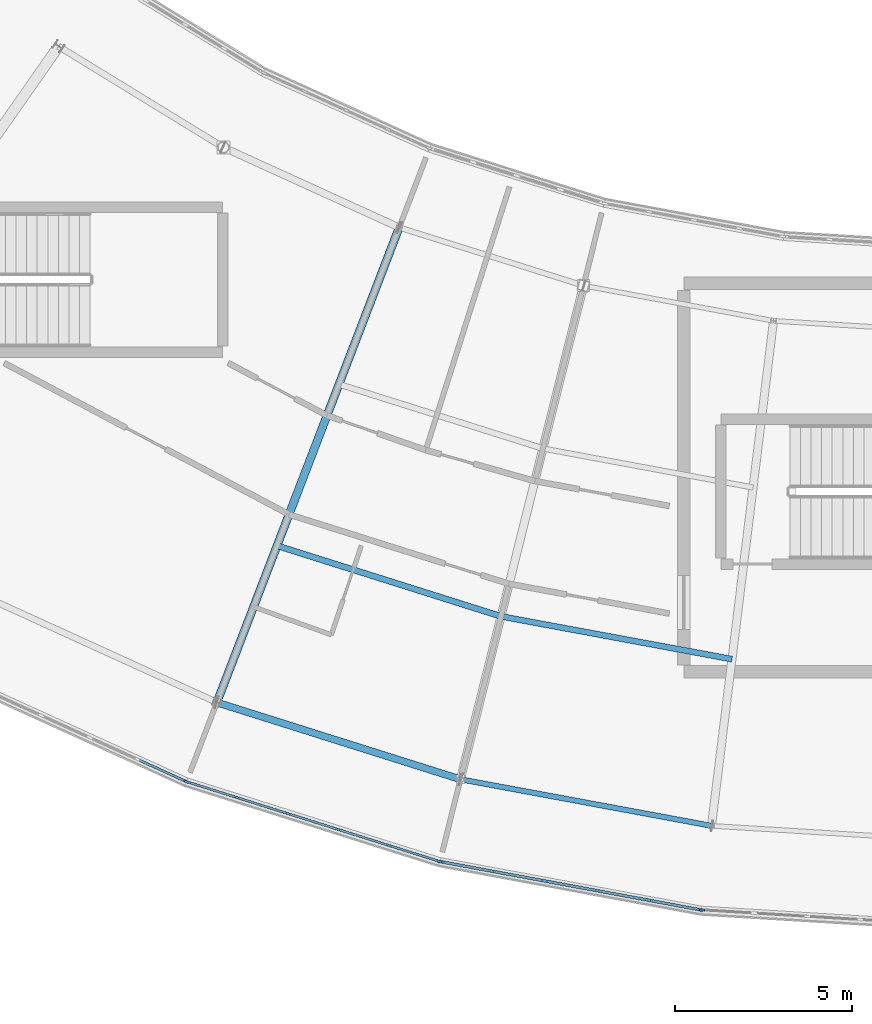
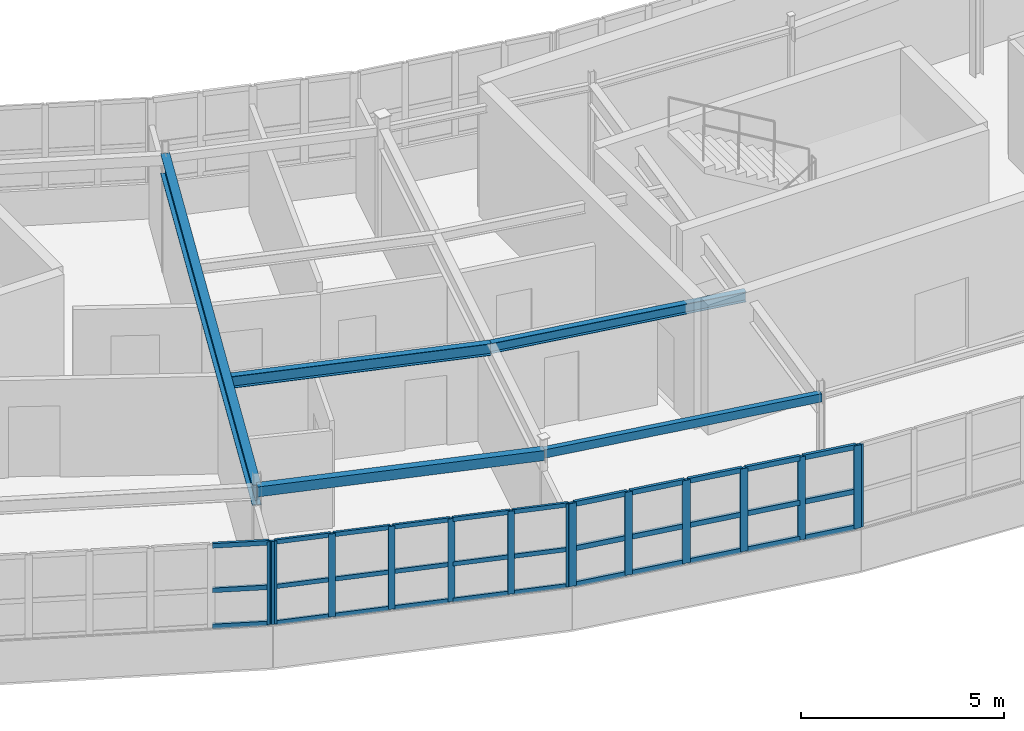
# One storey, part 19 of 79: 47 members, 5 beams, 4 elements without a shape of their own.
"""IFC4 building model written with IfcOpenShell, lengths in metres."""

from ifc_helpers import new_model, si_unit, direction, frame, origin, origin_2d, place, context, subcontext, project, spatial, rectangle, hollow_rectangle, i_section, extrude, material, layer, layer_set, material_profile, profile_set, type_object, element, aggregate, save


model = new_model("IFC4")

# Units and contexts
model_context = context("Model", 3, precision=1e-05, world=origin(), true_north=direction((0.0, 1.0)))
body_context = subcontext(model_context, "Body", "Model", "MODEL_VIEW")
ifc_project = project(units=[si_unit("LENGTHUNIT", "METRE"), si_unit("AREAUNIT", "SQUARE_METRE"), si_unit("VOLUMEUNIT", "CUBIC_METRE"), si_unit("PLANEANGLEUNIT", "RADIAN"), si_unit("MASSUNIT", "GRAM", prefix="KILO")], contexts=[model_context])

# Site, building, storey
site_placement = place(None, origin())
site = spatial("IfcSite", under=ifc_project, at=site_placement, CompositionType="ELEMENT")
building_placement = place(site_placement, origin())
building = spatial("IfcBuilding", under=site, at=building_placement, Name="Tarnwether General Hospital", CompositionType="ELEMENT")
storey_placement = place(building_placement, frame((0.0, 0.0, 18.300048828125)))
storey = spatial("IfcBuildingStorey", under=building, at=storey_placement, Name="L04", CompositionType="ELEMENT", Elevation=18.300048828125)

# Beams
ifc_material_1 = material(Name="Steel Grade 350 (350 MPa)", Category="steel")
ifc_material_profile_1 = material_profile(ifc_material_1, i_section(OverallWidth=0.22900390625, OverallDepth=0.612060546875, WebThickness=0.011962890625, FlangeThickness=0.01953125, at=origin_2d()), Name="610UB125")
ifc_profile_set_1 = profile_set([ifc_material_profile_1], Name="Steel Grade 350 (350 MPa)")
beam_type_1 = type_object("IfcBeamType", Name="BM-G03", PredefinedType="BEAM", material=ifc_profile_set_1)
beam_1_placement = place(storey_placement, frame((70.784912109375, 7.73193359375, 3.25390625), z_axis=(0.358334838026, 0.933593136145, 0.0), x_axis=(-0.933593136145, 0.358334838026, 0.0)))
element("IfcBeam", 1, at=beam_1_placement, inside=storey, type_object=beam_type_1, Name="Curved Ward SE Radial Girder BMG-L04-7078_773-7594_2118-2132", PredefinedType="BEAM", context=body_context, shape_type="SweptSolid", body=[
    extrude(i_section(OverallWidth=0.22900390625, OverallDepth=0.612060546875, WebThickness=0.011962890625, FlangeThickness=0.01953125, at=origin_2d()), origin(), (0.0, 0.0, 1.0), 14.400390625),
])
ifc_material_2 = material(Name="Steel Grade 350 (350 MPa)", Category="steel")
ifc_material_profile_2 = material_profile(ifc_material_2, i_section(OverallWidth=0.1708984375, OverallDepth=0.35595703125, WebThickness=0.00732421875, FlangeThickness=0.011474609375, at=origin_2d()), Name="360UB50.7")
ifc_profile_set_2 = profile_set([ifc_material_profile_2], Name="Steel Grade 350 (350 MPa)")
beam_type_2 = type_object("IfcBeamType", Name="BM-J04", PredefinedType="JOIST", material=ifc_profile_set_2)
beam_2_placement = place(storey_placement, frame((72.488037109375, 12.1689453125, 3.3818359375), z_axis=(0.953671429399, -0.300850136693, 0.0), x_axis=(0.300850136693, 0.953671429399, 0.0)))
element("IfcBeam", 2, at=beam_2_placement, inside=storey, type_object=beam_type_2, Name="Curved Ward SE Chord Joist BMG-L04-7249_1217-7883_1017-2144", PredefinedType="JOIST", context=body_context, shape_type="SweptSolid", body=[
    extrude(i_section(OverallWidth=0.1708984375, OverallDepth=0.35595703125, WebThickness=0.00732421875, FlangeThickness=0.011474609375, at=origin_2d()), origin(), (0.0, 0.0, 1.0), 6.64794921875),
])
ifc_material_3 = material(Name="Steel Grade 350 (350 MPa)", Category="steel")
ifc_material_profile_3 = material_profile(ifc_material_3, i_section(OverallWidth=0.166015625, OverallDepth=0.306884765625, WebThickness=0.006591796875, FlangeThickness=0.01171875, at=origin_2d()), Name="310UB46.2")
ifc_profile_set_3 = profile_set([ifc_material_profile_3], Name="Steel Grade 350 (350 MPa)")
beam_type_3 = type_object("IfcBeamType", Name="BM-J05", PredefinedType="JOIST", material=ifc_profile_set_3)
beam_3_placement = place(storey_placement, frame((78.827880859375, 10.1689453125, 3.406494140625), z_axis=(0.983267388773, -0.18216817004, 0.0), x_axis=(0.18216817004, 0.983267388773, 0.0)))
element("IfcBeam", 3, at=beam_3_placement, inside=storey, type_object=beam_type_3, Name="Curved Ward SE Chord Joist BMG-L04-7883_1017-8536_896-2148", PredefinedType="JOIST", context=body_context, shape_type="SweptSolid", body=[
    extrude(i_section(OverallWidth=0.166015625, OverallDepth=0.306884765625, WebThickness=0.006591796875, FlangeThickness=0.01171875, at=origin_2d()), origin(), (0.0, 0.0, 1.0), 6.6474609375),
])
ifc_material_4 = material(Name="Steel Grade C350L0 (350 MPa)", Category="steel")
ifc_material_profile_4 = material_profile(ifc_material_4, hollow_rectangle(XDim=0.199951171875, YDim=0.300048828125, WallThickness=0.012451171875, at=origin_2d()), Name="RHS300x200x12.5")
ifc_profile_set_4 = profile_set([ifc_material_profile_4], Name="Steel Grade C350L0 (350 MPa)")
beam_type_4 = type_object("IfcBeamType", Name="BM-SP3", PredefinedType="SPANDREL", material=ifc_profile_set_4)
beam_4_placement = place(storey_placement, frame((70.784912109375, 7.73193359375, 3.409912109375), z_axis=(0.953698988948, -0.300762761125, 0.0), x_axis=(0.300762761125, 0.953698988948, 0.0)))
element("IfcBeam", 4, at=beam_4_placement, inside=storey, type_object=beam_type_4, Name="Curved Ward SE Outer Spandrel BMG-L04-7078_773-7768_556-2142", PredefinedType="SPANDREL", context=body_context, shape_type="SweptSolid", body=[
    extrude(hollow_rectangle(XDim=0.199951171875, YDim=0.300048828125, WallThickness=0.012451171875, at=origin_2d()), origin(), (0.0, 0.0, 1.0), 7.227783203125),
])
ifc_material_5 = material(Name="Steel Grade C350L0 (350 MPa)", Category="steel")
ifc_material_profile_5 = material_profile(ifc_material_5, hollow_rectangle(XDim=0.14990234375, YDim=0.25, WallThickness=0.010009765625, at=origin_2d()), Name="RHS250x150x10")
ifc_profile_set_5 = profile_set([ifc_material_profile_5], Name="Steel Grade C350L0 (350 MPa)")
beam_type_5 = type_object("IfcBeamType", Name="BM-SP4", PredefinedType="SPANDREL", material=ifc_profile_set_5)
beam_5_placement = place(storey_placement, frame((77.677978515625, 5.55810546875, 3.43505859375), z_axis=(0.98325623662, -0.182228354399, 0.0), x_axis=(0.182228354399, 0.98325623662, 0.0)))
element("IfcBeam", 5, at=beam_5_placement, inside=storey, type_object=beam_type_5, Name="Curved Ward SE Outer Spandrel BMG-L04-7768_556-8478_424-2146", PredefinedType="SPANDREL", context=body_context, shape_type="SweptSolid", body=[
    extrude(hollow_rectangle(XDim=0.14990234375, YDim=0.25, WallThickness=0.010009765625, at=origin_2d()), origin(), (0.0, 0.0, 1.0), 7.22802734375),
])

# Curtain wall, member
ifc_material_6 = material(Name="Anodised aluminium", Category="aluminium")
ifc_layer = layer(ifc_material_6, 0.159912109375)
ifc_layer_set = layer_set([ifc_layer], Name="Anodised aluminium")
curtain_wall_type = type_object("IfcCurtainWallType", Name="CW-09", PredefinedType="NOTDEFINED", material=ifc_layer_set)
curtain_wall_1_placement = place(storey_placement, origin())
curtain_wall_1 = element("IfcCurtainWall", 6, at=curtain_wall_1_placement, inside=storey, type_object=curtain_wall_type, Name="Curtain Wall CWG-L04-920_14-0190", PredefinedType="NOTDEFINED")
ifc_material_7 = material(Name="Anodised aluminium", Category="aluminium")
ifc_material_profile_6 = material_profile(ifc_material_7, rectangle(XDim=0.06005859375, YDim=0.159912109375, at=origin_2d()), Name="ALU-MUL-60x160")
ifc_profile_set_6 = profile_set([ifc_material_profile_6], Name="Anodised aluminium")
member_type_1 = type_object("IfcMemberType", Name="CW-ML1", PredefinedType="MULLION", material=ifc_profile_set_6)
member_1_placement = place(storey_placement, frame((84.52294921875, 1.857177734375, 1.050048828125), z_axis=(0.0, 0.0, 1.0), x_axis=(-0.061028962567, -0.998135995608, 0.0)))
member_1 = element("IfcMember", 7, at=member_1_placement, type_object=member_type_1, Name="CW-09 mullion 6", PredefinedType="MULLION", context=body_context, shape_type="SweptSolid", body=[
    extrude(rectangle(XDim=0.06005859375, YDim=0.159912109375, at=origin_2d()), origin(), (0.0, 0.0, 1.0), 2.489990234375),
])
aggregate(curtain_wall_1, [member_1])

curtain_wall_2_placement = place(storey_placement, origin())
curtain_wall_2 = element("IfcCurtainWall", 8, at=curtain_wall_2_placement, inside=storey, type_object=curtain_wall_type, Name="Curtain Wall CWG-L04-699_55-0187", PredefinedType="NOTDEFINED")
ifc_material_8 = material(Name="Anodised aluminium", Category="aluminium")
ifc_material_profile_7 = material_profile(ifc_material_8, rectangle(XDim=0.070068359375, YDim=0.179931640625, at=origin_2d()), Name="ALU-MUL-70x180")
ifc_profile_set_7 = profile_set([ifc_material_profile_7], Name="Anodised aluminium")
member_type_2 = type_object("IfcMemberType", Name="CW-ML2", PredefinedType="MULLION", material=ifc_profile_set_7)
member_2_placement = place(storey_placement, frame((69.89306640625, 5.505615234375, 1.050048828125), z_axis=(0.0, 0.0, 1.0), x_axis=(-0.414694289316, -0.909960793886, 0.0)))
member_2 = element("IfcMember", 9, at=member_2_placement, type_object=member_type_2, Name="CW-09 mullion 1", PredefinedType="MULLION", context=body_context, shape_type="SweptSolid", body=[
    extrude(rectangle(XDim=0.070068359375, YDim=0.179931640625, at=origin_2d()), origin(), (0.0, 0.0, 1.0), 2.489990234375),
])

# Curtain wall, members
curtain_wall_3_placement = place(storey_placement, origin())
curtain_wall_3 = element("IfcCurtainWall", 10, at=curtain_wall_3_placement, inside=storey, type_object=curtain_wall_type, Name="Curtain Wall CWG-L04-771_32-0188", PredefinedType="NOTDEFINED")
ifc_material_9 = material(Name="Anodised aluminium", Category="aluminium")
ifc_material_profile_8 = material_profile(ifc_material_9, rectangle(XDim=0.06494140625, YDim=0.169921875, at=origin_2d()), Name="ALU-MUL-65x170")
ifc_profile_set_8 = profile_set([ifc_material_profile_8], Name="Anodised aluminium")
member_type_3 = type_object("IfcMemberType", Name="CW-ML3", PredefinedType="MULLION", material=ifc_profile_set_8)
member_3_placement = place(storey_placement, frame((77.06689453125, 3.23974609375, 1.050048828125), z_axis=(0.0, 0.0, 1.0), x_axis=(-0.300628613299, -0.953741284032, 0.0)))
member_3 = element("IfcMember", 11, at=member_3_placement, type_object=member_type_3, Name="CW-09 mullion 1", PredefinedType="MULLION", context=body_context, shape_type="SweptSolid", body=[
    extrude(rectangle(XDim=0.06494140625, YDim=0.169921875, at=origin_2d()), origin(), (0.0, 0.0, 1.0), 2.489990234375),
])
member_4_placement = place(storey_placement, frame((75.663330078125, 3.68212890625, 1.050048828125), z_axis=(0.0, 0.0, 1.0), x_axis=(-0.300628613299, -0.953741284032, 0.0)))
member_4 = element("IfcMember", 12, at=member_4_placement, type_object=member_type_3, Name="CW-09 mullion 2", PredefinedType="MULLION", context=body_context, shape_type="SweptSolid", body=[
    extrude(rectangle(XDim=0.06494140625, YDim=0.169921875, at=origin_2d()), origin(), (0.0, 0.0, 1.0), 2.489990234375),
])
member_5_placement = place(storey_placement, frame((74.228759765625, 4.134521484375, 1.050048828125), z_axis=(0.0, 0.0, 1.0), x_axis=(-0.300628613299, -0.953741284032, 0.0)))
member_5 = element("IfcMember", 13, at=member_5_placement, type_object=member_type_3, Name="CW-09 mullion 3", PredefinedType="MULLION", context=body_context, shape_type="SweptSolid", body=[
    extrude(rectangle(XDim=0.06494140625, YDim=0.169921875, at=origin_2d()), origin(), (0.0, 0.0, 1.0), 2.489990234375),
])
member_6_placement = place(storey_placement, frame((72.794189453125, 4.586669921875, 1.050048828125), z_axis=(0.0, 0.0, 1.0), x_axis=(-0.300628613299, -0.953741284032, 0.0)))
member_6 = element("IfcMember", 14, at=member_6_placement, type_object=member_type_3, Name="CW-09 mullion 4", PredefinedType="MULLION", context=body_context, shape_type="SweptSolid", body=[
    extrude(rectangle(XDim=0.06494140625, YDim=0.169921875, at=origin_2d()), origin(), (0.0, 0.0, 1.0), 2.489990234375),
])
member_7_placement = place(storey_placement, frame((71.359619140625, 5.038818359375, 1.050048828125), z_axis=(0.0, 0.0, 1.0), x_axis=(-0.300628613299, -0.953741284032, 0.0)))
member_7 = element("IfcMember", 15, at=member_7_placement, type_object=member_type_3, Name="CW-09 mullion 5", PredefinedType="MULLION", context=body_context, shape_type="SweptSolid", body=[
    extrude(rectangle(XDim=0.06494140625, YDim=0.169921875, at=origin_2d()), origin(), (0.0, 0.0, 1.0), 2.489990234375),
])
member_8_placement = place(storey_placement, frame((69.9560546875, 5.481201171875, 1.050048828125), z_axis=(0.0, 0.0, 1.0), x_axis=(-0.300628613299, -0.953741284032, 0.0)))
member_8 = element("IfcMember", 16, at=member_8_placement, type_object=member_type_3, Name="CW-09 mullion 6", PredefinedType="MULLION", context=body_context, shape_type="SweptSolid", body=[
    extrude(rectangle(XDim=0.06494140625, YDim=0.169921875, at=origin_2d()), origin(), (0.0, 0.0, 1.0), 2.489990234375),
])

curtain_wall_4_placement = place(storey_placement, origin())
curtain_wall_4 = element("IfcCurtainWall", 17, at=curtain_wall_4_placement, inside=storey, type_object=curtain_wall_type, Name="Curtain Wall CWG-L04-845_19-0189", PredefinedType="NOTDEFINED")
ifc_material_10 = material(Name="Anodised aluminium", Category="aluminium")
ifc_material_profile_9 = material_profile(ifc_material_10, rectangle(XDim=0.080078125, YDim=0.199951171875, at=origin_2d()), Name="ALU-MUL-80x200")
ifc_profile_set_9 = profile_set([ifc_material_profile_9], Name="Anodised aluminium")
member_type_4 = type_object("IfcMemberType", Name="CW-ML4", PredefinedType="MULLION", material=ifc_profile_set_9)
member_9_placement = place(storey_placement, frame((84.45361328125, 1.8662109375, 1.050048828125), z_axis=(0.0, 0.0, 1.0), x_axis=(-0.182289226614, -0.983244953132, 0.0)))
member_9 = element("IfcMember", 18, at=member_9_placement, type_object=member_type_4, Name="CW-09 mullion 1", PredefinedType="MULLION", context=body_context, shape_type="SweptSolid", body=[
    extrude(rectangle(XDim=0.080078125, YDim=0.199951171875, at=origin_2d()), origin(), (0.0, 0.0, 1.0), 2.489990234375),
])
member_10_placement = place(storey_placement, frame((83.013916015625, 2.13330078125, 1.050048828125), z_axis=(0.0, 0.0, 1.0), x_axis=(-0.182289226614, -0.983244953132, 0.0)))
member_10 = element("IfcMember", 19, at=member_10_placement, type_object=member_type_4, Name="CW-09 mullion 2", PredefinedType="MULLION", context=body_context, shape_type="SweptSolid", body=[
    extrude(rectangle(XDim=0.080078125, YDim=0.199951171875, at=origin_2d()), origin(), (0.0, 0.0, 1.0), 2.489990234375),
])
member_11_placement = place(storey_placement, frame((81.534912109375, 2.407470703125, 1.050048828125), z_axis=(0.0, 0.0, 1.0), x_axis=(-0.182289226614, -0.983244953132, 0.0)))
member_11 = element("IfcMember", 20, at=member_11_placement, type_object=member_type_4, Name="CW-09 mullion 3", PredefinedType="MULLION", context=body_context, shape_type="SweptSolid", body=[
    extrude(rectangle(XDim=0.080078125, YDim=0.199951171875, at=origin_2d()), origin(), (0.0, 0.0, 1.0), 2.489990234375),
])
member_12_placement = place(storey_placement, frame((80.055908203125, 2.681640625, 1.050048828125), z_axis=(0.0, 0.0, 1.0), x_axis=(-0.182289226614, -0.983244953132, 0.0)))
member_12 = element("IfcMember", 21, at=member_12_placement, type_object=member_type_4, Name="CW-09 mullion 4", PredefinedType="MULLION", context=body_context, shape_type="SweptSolid", body=[
    extrude(rectangle(XDim=0.080078125, YDim=0.199951171875, at=origin_2d()), origin(), (0.0, 0.0, 1.0), 2.489990234375),
])
member_13_placement = place(storey_placement, frame((78.576904296875, 2.955810546875, 1.050048828125), z_axis=(0.0, 0.0, 1.0), x_axis=(-0.182289226614, -0.983244953132, 0.0)))
member_13 = element("IfcMember", 22, at=member_13_placement, type_object=member_type_4, Name="CW-09 mullion 5", PredefinedType="MULLION", context=body_context, shape_type="SweptSolid", body=[
    extrude(rectangle(XDim=0.080078125, YDim=0.199951171875, at=origin_2d()), origin(), (0.0, 0.0, 1.0), 2.489990234375),
])
member_14_placement = place(storey_placement, frame((77.137451171875, 3.22265625, 1.050048828125), z_axis=(0.0, 0.0, 1.0), x_axis=(-0.182289226614, -0.983244953132, 0.0)))
member_14 = element("IfcMember", 23, at=member_14_placement, type_object=member_type_4, Name="CW-09 mullion 6", PredefinedType="MULLION", context=body_context, shape_type="SweptSolid", body=[
    extrude(rectangle(XDim=0.080078125, YDim=0.199951171875, at=origin_2d()), origin(), (0.0, 0.0, 1.0), 2.489990234375),
])

# Member
ifc_material_11 = material(Name="Anodised aluminium", Category="aluminium")
ifc_material_profile_10 = material_profile(ifc_material_11, rectangle(XDim=0.070068359375, YDim=0.139892578125, at=origin_2d()), Name="ALU-TRN-70x140")
ifc_profile_set_10 = profile_set([ifc_material_profile_10], Name="Anodised aluminium")
member_type_5 = type_object("IfcMemberType", Name="CW-TR2", PredefinedType="USERDEFINED", material=ifc_profile_set_10)
member_15_placement = place(storey_placement, frame((69.861328125, 5.52001953125, 1.0849609375), z_axis=(-0.909935750091, 0.414749238344, 0.0), x_axis=(-0.414749238344, -0.909935750091, 0.0)))
member_15 = element("IfcMember", 24, at=member_15_placement, type_object=member_type_5, Name="CW-09 transom 1.1", ObjectType="TRANSOM", PredefinedType="USERDEFINED", context=body_context, shape_type="SweptSolid", body=[
    extrude(rectangle(XDim=0.070068359375, YDim=0.139892578125, at=origin_2d()), origin(), (0.0, 0.0, 1.0), 1.399169921875),
])

member_16_placement = place(storey_placement, frame((69.861328125, 5.52001953125, 2.17041015625), z_axis=(-0.909935750091, 0.414749238344, 0.0), x_axis=(-0.414749238344, -0.909935750091, 0.0)))
member_16 = element("IfcMember", 25, at=member_16_placement, type_object=member_type_5, Name="CW-09 transom 1.2", ObjectType="TRANSOM", PredefinedType="USERDEFINED", context=body_context, shape_type="SweptSolid", body=[
    extrude(rectangle(XDim=0.070068359375, YDim=0.139892578125, at=origin_2d()), origin(), (0.0, 0.0, 1.0), 1.399169921875),
])

member_17_placement = place(storey_placement, frame((69.861328125, 5.52001953125, 3.5048828125), z_axis=(-0.909935750091, 0.414749238344, 0.0), x_axis=(-0.414749238344, -0.909935750091, 0.0)))
member_17 = element("IfcMember", 26, at=member_17_placement, type_object=member_type_5, Name="CW-09 transom 1.3", ObjectType="TRANSOM", PredefinedType="USERDEFINED", context=body_context, shape_type="SweptSolid", body=[
    extrude(rectangle(XDim=0.070068359375, YDim=0.139892578125, at=origin_2d()), origin(), (0.0, 0.0, 1.0), 1.399169921875),
])

aggregate(curtain_wall_2, [member_2, member_15, member_16, member_17])

ifc_material_12 = material(Name="Anodised aluminium", Category="aluminium")
ifc_material_profile_11 = material_profile(ifc_material_12, rectangle(XDim=0.06494140625, YDim=0.1298828125, at=origin_2d()), Name="ALU-TRN-65x130")
ifc_profile_set_11 = profile_set([ifc_material_profile_11], Name="Anodised aluminium")
member_type_6 = type_object("IfcMemberType", Name="CW-TR3", PredefinedType="USERDEFINED", material=ifc_profile_set_11)
member_18_placement = place(storey_placement, frame((77.035888671875, 3.24951171875, 1.08251953125), z_axis=(-0.953745162208, 0.300616309544, 0.0), x_axis=(-0.300616309544, -0.953745162208, 0.0)))
member_18 = element("IfcMember", 27, at=member_18_placement, type_object=member_type_6, Name="CW-09 transom 1.1", ObjectType="TRANSOM", PredefinedType="USERDEFINED", context=body_context, shape_type="SweptSolid", body=[
    extrude(rectangle(XDim=0.06494140625, YDim=0.1298828125, at=origin_2d()), origin(), (0.0, 0.0, 1.0), 1.406494140625),
])

member_19_placement = place(storey_placement, frame((77.035888671875, 3.24951171875, 2.17041015625), z_axis=(-0.953745162208, 0.300616309544, 0.0), x_axis=(-0.300616309544, -0.953745162208, 0.0)))
member_19 = element("IfcMember", 28, at=member_19_placement, type_object=member_type_6, Name="CW-09 transom 1.2", ObjectType="TRANSOM", PredefinedType="USERDEFINED", context=body_context, shape_type="SweptSolid", body=[
    extrude(rectangle(XDim=0.06494140625, YDim=0.1298828125, at=origin_2d()), origin(), (0.0, 0.0, 1.0), 1.406494140625),
])

member_20_placement = place(storey_placement, frame((77.035888671875, 3.24951171875, 3.507568359375), z_axis=(-0.953745162208, 0.300616309544, 0.0), x_axis=(-0.300616309544, -0.953745162208, 0.0)))
member_20 = element("IfcMember", 29, at=member_20_placement, type_object=member_type_6, Name="CW-09 transom 1.3", ObjectType="TRANSOM", PredefinedType="USERDEFINED", context=body_context, shape_type="SweptSolid", body=[
    extrude(rectangle(XDim=0.06494140625, YDim=0.1298828125, at=origin_2d()), origin(), (0.0, 0.0, 1.0), 1.406494140625),
])

member_21_placement = place(storey_placement, frame((75.63232421875, 3.69189453125, 1.08251953125), z_axis=(-0.953746613852, 0.300611703975, 0.0), x_axis=(-0.300611703975, -0.953746613852, 0.0)))
member_21 = element("IfcMember", 30, at=member_21_placement, type_object=member_type_6, Name="CW-09 transom 2.1", ObjectType="TRANSOM", PredefinedType="USERDEFINED", context=body_context, shape_type="SweptSolid", body=[
    extrude(rectangle(XDim=0.06494140625, YDim=0.1298828125, at=origin_2d()), origin(), (0.0, 0.0, 1.0), 1.439208984375),
])

member_22_placement = place(storey_placement, frame((75.63232421875, 3.69189453125, 2.17041015625), z_axis=(-0.953746613852, 0.300611703975, 0.0), x_axis=(-0.300611703975, -0.953746613852, 0.0)))
member_22 = element("IfcMember", 31, at=member_22_placement, type_object=member_type_6, Name="CW-09 transom 2.2", ObjectType="TRANSOM", PredefinedType="USERDEFINED", context=body_context, shape_type="SweptSolid", body=[
    extrude(rectangle(XDim=0.06494140625, YDim=0.1298828125, at=origin_2d()), origin(), (0.0, 0.0, 1.0), 1.439208984375),
])

member_23_placement = place(storey_placement, frame((75.63232421875, 3.69189453125, 3.507568359375), z_axis=(-0.953746613852, 0.300611703975, 0.0), x_axis=(-0.300611703975, -0.953746613852, 0.0)))
member_23 = element("IfcMember", 32, at=member_23_placement, type_object=member_type_6, Name="CW-09 transom 2.3", ObjectType="TRANSOM", PredefinedType="USERDEFINED", context=body_context, shape_type="SweptSolid", body=[
    extrude(rectangle(XDim=0.06494140625, YDim=0.1298828125, at=origin_2d()), origin(), (0.0, 0.0, 1.0), 1.439208984375),
])

member_24_placement = place(storey_placement, frame((74.19775390625, 4.144287109375, 1.08251953125), z_axis=(-0.953746613852, 0.300611703975, 0.0), x_axis=(-0.300611703975, -0.953746613852, 0.0)))
member_24 = element("IfcMember", 33, at=member_24_placement, type_object=member_type_6, Name="CW-09 transom 3.1", ObjectType="TRANSOM", PredefinedType="USERDEFINED", context=body_context, shape_type="SweptSolid", body=[
    extrude(rectangle(XDim=0.06494140625, YDim=0.1298828125, at=origin_2d()), origin(), (0.0, 0.0, 1.0), 1.439208984375),
])

member_25_placement = place(storey_placement, frame((74.19775390625, 4.144287109375, 2.17041015625), z_axis=(-0.953746613852, 0.300611703975, 0.0), x_axis=(-0.300611703975, -0.953746613852, 0.0)))
member_25 = element("IfcMember", 34, at=member_25_placement, type_object=member_type_6, Name="CW-09 transom 3.2", ObjectType="TRANSOM", PredefinedType="USERDEFINED", context=body_context, shape_type="SweptSolid", body=[
    extrude(rectangle(XDim=0.06494140625, YDim=0.1298828125, at=origin_2d()), origin(), (0.0, 0.0, 1.0), 1.439208984375),
])

member_26_placement = place(storey_placement, frame((74.19775390625, 4.144287109375, 3.507568359375), z_axis=(-0.953746613852, 0.300611703975, 0.0), x_axis=(-0.300611703975, -0.953746613852, 0.0)))
member_26 = element("IfcMember", 35, at=member_26_placement, type_object=member_type_6, Name="CW-09 transom 3.3", ObjectType="TRANSOM", PredefinedType="USERDEFINED", context=body_context, shape_type="SweptSolid", body=[
    extrude(rectangle(XDim=0.06494140625, YDim=0.1298828125, at=origin_2d()), origin(), (0.0, 0.0, 1.0), 1.439208984375),
])

member_27_placement = place(storey_placement, frame((72.76318359375, 4.596435546875, 1.08251953125), z_axis=(-0.953746613852, 0.300611703975, 0.0), x_axis=(-0.300611703975, -0.953746613852, 0.0)))
member_27 = element("IfcMember", 36, at=member_27_placement, type_object=member_type_6, Name="CW-09 transom 4.1", ObjectType="TRANSOM", PredefinedType="USERDEFINED", context=body_context, shape_type="SweptSolid", body=[
    extrude(rectangle(XDim=0.06494140625, YDim=0.1298828125, at=origin_2d()), origin(), (0.0, 0.0, 1.0), 1.439208984375),
])

member_28_placement = place(storey_placement, frame((72.76318359375, 4.596435546875, 2.17041015625), z_axis=(-0.953746613852, 0.300611703975, 0.0), x_axis=(-0.300611703975, -0.953746613852, 0.0)))
member_28 = element("IfcMember", 37, at=member_28_placement, type_object=member_type_6, Name="CW-09 transom 4.2", ObjectType="TRANSOM", PredefinedType="USERDEFINED", context=body_context, shape_type="SweptSolid", body=[
    extrude(rectangle(XDim=0.06494140625, YDim=0.1298828125, at=origin_2d()), origin(), (0.0, 0.0, 1.0), 1.439208984375),
])

member_29_placement = place(storey_placement, frame((72.76318359375, 4.596435546875, 3.507568359375), z_axis=(-0.953746613852, 0.300611703975, 0.0), x_axis=(-0.300611703975, -0.953746613852, 0.0)))
member_29 = element("IfcMember", 38, at=member_29_placement, type_object=member_type_6, Name="CW-09 transom 4.3", ObjectType="TRANSOM", PredefinedType="USERDEFINED", context=body_context, shape_type="SweptSolid", body=[
    extrude(rectangle(XDim=0.06494140625, YDim=0.1298828125, at=origin_2d()), origin(), (0.0, 0.0, 1.0), 1.439208984375),
])

member_30_placement = place(storey_placement, frame((71.32861328125, 5.048583984375, 1.08251953125), z_axis=(-0.953745162208, 0.300616309544, 0.0), x_axis=(-0.300616309544, -0.953745162208, 0.0)))
member_30 = element("IfcMember", 39, at=member_30_placement, type_object=member_type_6, Name="CW-09 transom 5.1", ObjectType="TRANSOM", PredefinedType="USERDEFINED", context=body_context, shape_type="SweptSolid", body=[
    extrude(rectangle(XDim=0.06494140625, YDim=0.1298828125, at=origin_2d()), origin(), (0.0, 0.0, 1.0), 1.406494140625),
])

member_31_placement = place(storey_placement, frame((71.32861328125, 5.048583984375, 2.17041015625), z_axis=(-0.953745162208, 0.300616309544, 0.0), x_axis=(-0.300616309544, -0.953745162208, 0.0)))
member_31 = element("IfcMember", 40, at=member_31_placement, type_object=member_type_6, Name="CW-09 transom 5.2", ObjectType="TRANSOM", PredefinedType="USERDEFINED", context=body_context, shape_type="SweptSolid", body=[
    extrude(rectangle(XDim=0.06494140625, YDim=0.1298828125, at=origin_2d()), origin(), (0.0, 0.0, 1.0), 1.406494140625),
])

member_32_placement = place(storey_placement, frame((71.32861328125, 5.048583984375, 3.507568359375), z_axis=(-0.953745162208, 0.300616309544, 0.0), x_axis=(-0.300616309544, -0.953745162208, 0.0)))
member_32 = element("IfcMember", 41, at=member_32_placement, type_object=member_type_6, Name="CW-09 transom 5.3", ObjectType="TRANSOM", PredefinedType="USERDEFINED", context=body_context, shape_type="SweptSolid", body=[
    extrude(rectangle(XDim=0.06494140625, YDim=0.1298828125, at=origin_2d()), origin(), (0.0, 0.0, 1.0), 1.406494140625),
])

aggregate(curtain_wall_3, [member_3, member_4, member_5, member_6, member_7, member_8, member_18, member_19, member_20, member_21, member_22, member_23, member_24, member_25, member_26, member_27, member_28, member_29, member_30, member_31, member_32])

ifc_material_13 = material(Name="Anodised aluminium", Category="aluminium")
ifc_material_profile_12 = material_profile(ifc_material_13, rectangle(XDim=0.080078125, YDim=0.14990234375, at=origin_2d()), Name="ALU-TRN-80x150")
ifc_profile_set_12 = profile_set([ifc_material_profile_12], Name="Anodised aluminium")
member_type_7 = type_object("IfcMemberType", Name="CW-TR4", PredefinedType="USERDEFINED", material=ifc_profile_set_12)
member_33_placement = place(storey_placement, frame((84.414306640625, 1.87353515625, 1.08984375), z_axis=(-0.983231677893, 0.18236081703, 0.0), x_axis=(-0.18236081703, -0.983231677893, 0.0)))
member_33 = element("IfcMember", 42, at=member_33_placement, type_object=member_type_7, Name="CW-09 transom 1.1", ObjectType="TRANSOM", PredefinedType="USERDEFINED", context=body_context, shape_type="SweptSolid", body=[
    extrude(rectangle(XDim=0.080078125, YDim=0.14990234375, at=origin_2d()), origin(), (0.0, 0.0, 1.0), 1.38427734375),
])

member_34_placement = place(storey_placement, frame((84.414306640625, 1.87353515625, 2.17041015625), z_axis=(-0.983231677893, 0.18236081703, 0.0), x_axis=(-0.18236081703, -0.983231677893, 0.0)))
member_34 = element("IfcMember", 43, at=member_34_placement, type_object=member_type_7, Name="CW-09 transom 1.2", ObjectType="TRANSOM", PredefinedType="USERDEFINED", context=body_context, shape_type="SweptSolid", body=[
    extrude(rectangle(XDim=0.080078125, YDim=0.14990234375, at=origin_2d()), origin(), (0.0, 0.0, 1.0), 1.38427734375),
])

member_35_placement = place(storey_placement, frame((84.414306640625, 1.87353515625, 3.5), z_axis=(-0.983231677893, 0.18236081703, 0.0), x_axis=(-0.18236081703, -0.983231677893, 0.0)))
member_35 = element("IfcMember", 44, at=member_35_placement, type_object=member_type_7, Name="CW-09 transom 1.3", ObjectType="TRANSOM", PredefinedType="USERDEFINED", context=body_context, shape_type="SweptSolid", body=[
    extrude(rectangle(XDim=0.080078125, YDim=0.14990234375, at=origin_2d()), origin(), (0.0, 0.0, 1.0), 1.38427734375),
])

member_36_placement = place(storey_placement, frame((82.974609375, 2.140380859375, 1.08984375), z_axis=(-0.983227399541, 0.182383883039, 0.0), x_axis=(-0.182383883039, -0.983227399541, 0.0)))
member_36 = element("IfcMember", 45, at=member_36_placement, type_object=member_type_7, Name="CW-09 transom 2.1", ObjectType="TRANSOM", PredefinedType="USERDEFINED", context=body_context, shape_type="SweptSolid", body=[
    extrude(rectangle(XDim=0.080078125, YDim=0.14990234375, at=origin_2d()), origin(), (0.0, 0.0, 1.0), 1.42431640625),
])

member_37_placement = place(storey_placement, frame((82.974609375, 2.140380859375, 2.17041015625), z_axis=(-0.983227399541, 0.182383883039, 0.0), x_axis=(-0.182383883039, -0.983227399541, 0.0)))
member_37 = element("IfcMember", 46, at=member_37_placement, type_object=member_type_7, Name="CW-09 transom 2.2", ObjectType="TRANSOM", PredefinedType="USERDEFINED", context=body_context, shape_type="SweptSolid", body=[
    extrude(rectangle(XDim=0.080078125, YDim=0.14990234375, at=origin_2d()), origin(), (0.0, 0.0, 1.0), 1.42431640625),
])

member_38_placement = place(storey_placement, frame((82.974609375, 2.140380859375, 3.5), z_axis=(-0.983227399541, 0.182383883039, 0.0), x_axis=(-0.182383883039, -0.983227399541, 0.0)))
member_38 = element("IfcMember", 47, at=member_38_placement, type_object=member_type_7, Name="CW-09 transom 2.3", ObjectType="TRANSOM", PredefinedType="USERDEFINED", context=body_context, shape_type="SweptSolid", body=[
    extrude(rectangle(XDim=0.080078125, YDim=0.14990234375, at=origin_2d()), origin(), (0.0, 0.0, 1.0), 1.42431640625),
])

member_39_placement = place(storey_placement, frame((81.49560546875, 2.414794921875, 1.08984375), z_axis=(-0.983258125219, 0.182218163722, 0.0), x_axis=(-0.182218163722, -0.983258125219, 0.0)))
member_39 = element("IfcMember", 48, at=member_39_placement, type_object=member_type_7, Name="CW-09 transom 3.1", ObjectType="TRANSOM", PredefinedType="USERDEFINED", context=body_context, shape_type="SweptSolid", body=[
    extrude(rectangle(XDim=0.080078125, YDim=0.14990234375, at=origin_2d()), origin(), (0.0, 0.0, 1.0), 1.42431640625),
])

member_40_placement = place(storey_placement, frame((81.49560546875, 2.414794921875, 2.17041015625), z_axis=(-0.983258125219, 0.182218163722, 0.0), x_axis=(-0.182218163722, -0.983258125219, 0.0)))
member_40 = element("IfcMember", 49, at=member_40_placement, type_object=member_type_7, Name="CW-09 transom 3.2", ObjectType="TRANSOM", PredefinedType="USERDEFINED", context=body_context, shape_type="SweptSolid", body=[
    extrude(rectangle(XDim=0.080078125, YDim=0.14990234375, at=origin_2d()), origin(), (0.0, 0.0, 1.0), 1.42431640625),
])

member_41_placement = place(storey_placement, frame((81.49560546875, 2.414794921875, 3.5), z_axis=(-0.983258125219, 0.182218163722, 0.0), x_axis=(-0.182218163722, -0.983258125219, 0.0)))
member_41 = element("IfcMember", 50, at=member_41_placement, type_object=member_type_7, Name="CW-09 transom 3.3", ObjectType="TRANSOM", PredefinedType="USERDEFINED", context=body_context, shape_type="SweptSolid", body=[
    extrude(rectangle(XDim=0.080078125, YDim=0.14990234375, at=origin_2d()), origin(), (0.0, 0.0, 1.0), 1.42431640625),
])

member_42_placement = place(storey_placement, frame((80.0166015625, 2.68896484375, 1.08984375), z_axis=(-0.983258125219, 0.182218163722, 0.0), x_axis=(-0.182218163722, -0.983258125219, 0.0)))
member_42 = element("IfcMember", 51, at=member_42_placement, type_object=member_type_7, Name="CW-09 transom 4.1", ObjectType="TRANSOM", PredefinedType="USERDEFINED", context=body_context, shape_type="SweptSolid", body=[
    extrude(rectangle(XDim=0.080078125, YDim=0.14990234375, at=origin_2d()), origin(), (0.0, 0.0, 1.0), 1.42431640625),
])

member_43_placement = place(storey_placement, frame((80.0166015625, 2.68896484375, 2.17041015625), z_axis=(-0.983258125219, 0.182218163722, 0.0), x_axis=(-0.182218163722, -0.983258125219, 0.0)))
member_43 = element("IfcMember", 52, at=member_43_placement, type_object=member_type_7, Name="CW-09 transom 4.2", ObjectType="TRANSOM", PredefinedType="USERDEFINED", context=body_context, shape_type="SweptSolid", body=[
    extrude(rectangle(XDim=0.080078125, YDim=0.14990234375, at=origin_2d()), origin(), (0.0, 0.0, 1.0), 1.42431640625),
])

member_44_placement = place(storey_placement, frame((80.0166015625, 2.68896484375, 3.5), z_axis=(-0.983258125219, 0.182218163722, 0.0), x_axis=(-0.182218163722, -0.983258125219, 0.0)))
member_44 = element("IfcMember", 53, at=member_44_placement, type_object=member_type_7, Name="CW-09 transom 4.3", ObjectType="TRANSOM", PredefinedType="USERDEFINED", context=body_context, shape_type="SweptSolid", body=[
    extrude(rectangle(XDim=0.080078125, YDim=0.14990234375, at=origin_2d()), origin(), (0.0, 0.0, 1.0), 1.42431640625),
])

member_45_placement = place(storey_placement, frame((78.53759765625, 2.963134765625, 1.08984375), z_axis=(-0.983257430954, 0.182221909971, 0.0), x_axis=(-0.182221909971, -0.983257430954, 0.0)))
member_45 = element("IfcMember", 54, at=member_45_placement, type_object=member_type_7, Name="CW-09 transom 5.1", ObjectType="TRANSOM", PredefinedType="USERDEFINED", context=body_context, shape_type="SweptSolid", body=[
    extrude(rectangle(XDim=0.080078125, YDim=0.14990234375, at=origin_2d()), origin(), (0.0, 0.0, 1.0), 1.384033203125),
])

member_46_placement = place(storey_placement, frame((78.53759765625, 2.963134765625, 2.17041015625), z_axis=(-0.983257430954, 0.182221909971, 0.0), x_axis=(-0.182221909971, -0.983257430954, 0.0)))
member_46 = element("IfcMember", 55, at=member_46_placement, type_object=member_type_7, Name="CW-09 transom 5.2", ObjectType="TRANSOM", PredefinedType="USERDEFINED", context=body_context, shape_type="SweptSolid", body=[
    extrude(rectangle(XDim=0.080078125, YDim=0.14990234375, at=origin_2d()), origin(), (0.0, 0.0, 1.0), 1.384033203125),
])

member_47_placement = place(storey_placement, frame((78.53759765625, 2.963134765625, 3.5), z_axis=(-0.983257430954, 0.182221909971, 0.0), x_axis=(-0.182221909971, -0.983257430954, 0.0)))
member_47 = element("IfcMember", 56, at=member_47_placement, type_object=member_type_7, Name="CW-09 transom 5.3", ObjectType="TRANSOM", PredefinedType="USERDEFINED", context=body_context, shape_type="SweptSolid", body=[
    extrude(rectangle(XDim=0.080078125, YDim=0.14990234375, at=origin_2d()), origin(), (0.0, 0.0, 1.0), 1.384033203125),
])

aggregate(curtain_wall_4, [member_9, member_10, member_11, member_12, member_13, member_14, member_33, member_34, member_35, member_36, member_37, member_38, member_39, member_40, member_41, member_42, member_43, member_44, member_45, member_46, member_47])

save(model, "model.ifc")
